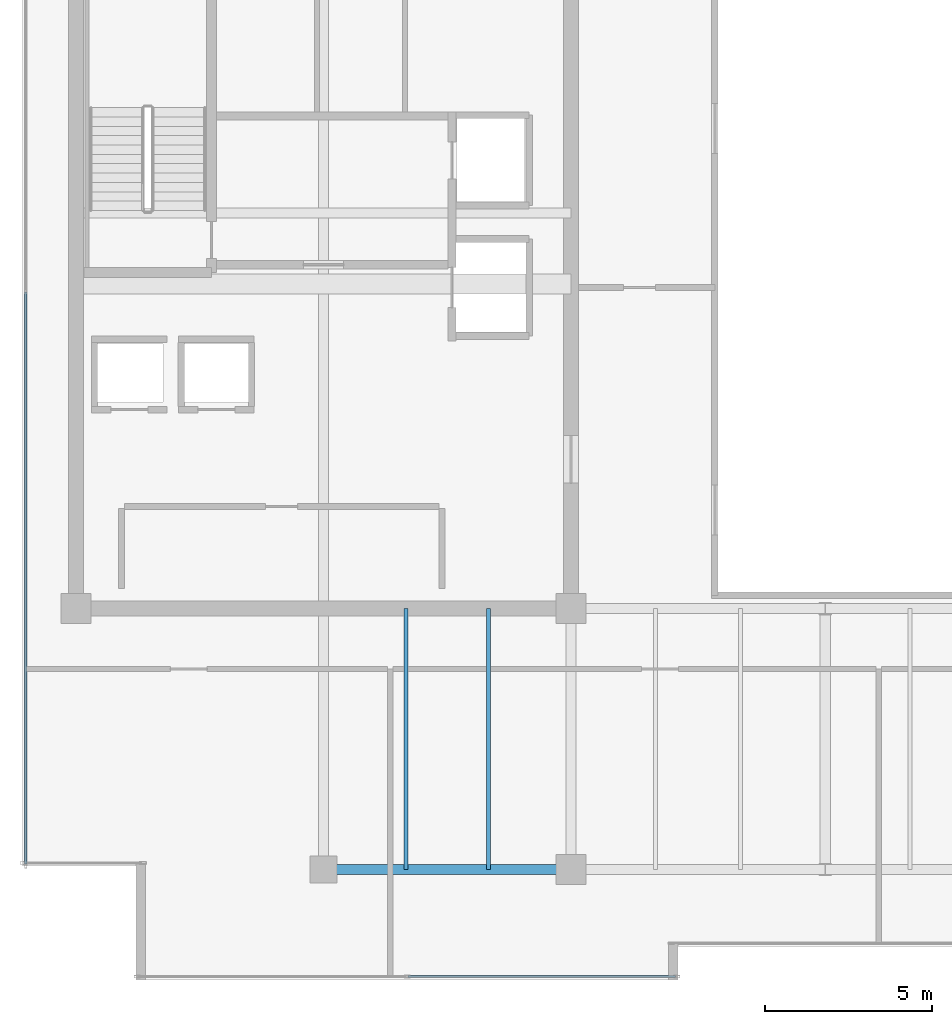
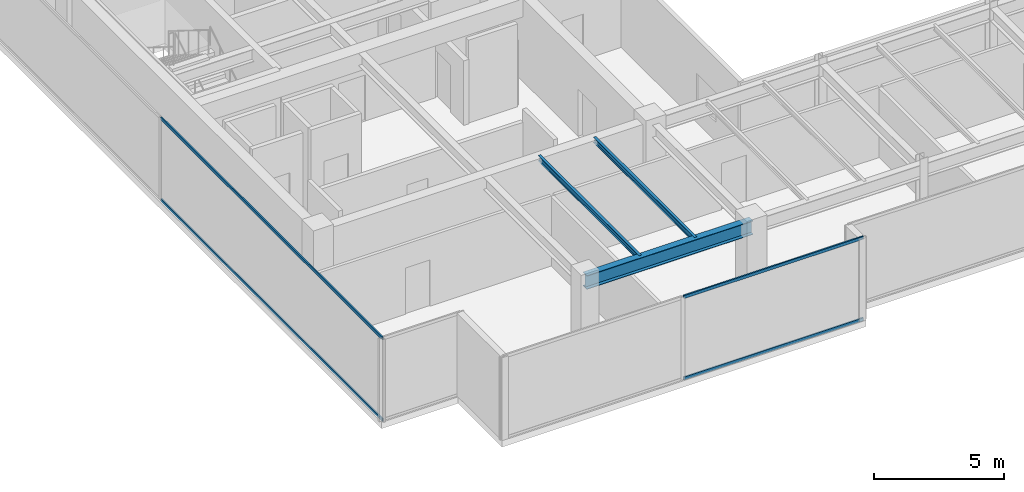
# One storey, part 6 of 31: 4 members, 3 beams, 2 elements without a shape of their own.
"""IFC4 building model written with IfcOpenShell, lengths in metres."""

from ifc_helpers import new_model, si_unit, direction, frame, origin, origin_2d, place, context, subcontext, project, spatial, hollow_rectangle, i_section, extrude, source, transform, mapped, material, layer, layer_set, material_profile, profile_set, type_object, type_shapes, element, aggregate, save


model = new_model("IFC4")

# Units and contexts
model_context = context("Model", 3, precision=1e-05, world=origin(), true_north=direction((0.0, 1.0)))
body_context = subcontext(model_context, "Body", "Model", "MODEL_VIEW")
ifc_project = project(units=[si_unit("LENGTHUNIT", "METRE"), si_unit("AREAUNIT", "SQUARE_METRE"), si_unit("VOLUMEUNIT", "CUBIC_METRE"), si_unit("PLANEANGLEUNIT", "RADIAN"), si_unit("MASSUNIT", "GRAM", prefix="KILO")], contexts=[model_context])

# Site, building, storey
site_placement = place(None, origin())
site = spatial("IfcSite", under=ifc_project, at=site_placement, CompositionType="ELEMENT")
building_placement = place(site_placement, origin())
building = spatial("IfcBuilding", under=site, at=building_placement, Name="Haelvirn Gate Laboratories", CompositionType="ELEMENT")
storey_placement = place(building_placement, frame((0.0, 0.0, 318.60009765625)))
storey = spatial("IfcBuildingStorey", under=building, at=storey_placement, Name="L76", CompositionType="ELEMENT", Elevation=318.60009765625)

# Beams
ifc_material_1 = material(Name="Steel SM355", Category="steel")
ifc_material_profile_1 = material_profile(ifc_material_1, i_section(OverallWidth=0.300048828125, OverallDepth=0.64990234375, WebThickness=0.012939453125, FlangeThickness=0.02197265625, at=origin_2d()), Name="H-650x300x13x22")
ifc_profile_set_1 = profile_set([ifc_material_profile_1], Name="Steel SM355")
beam_type_1 = type_object("IfcBeamType", Name="BM-G-650", PredefinedType="BEAM", material=ifc_profile_set_1)
shared_shape_1 = source(origin(), body_context, "Body", "SweptSolid", [
    extrude(i_section(OverallWidth=0.300048828125, OverallDepth=0.64990234375, WebThickness=0.012939453125, FlangeThickness=0.02197265625, at=origin_2d()), origin(), (0.0, 0.0, 1.0), 7.39990234375),
])
type_shapes(beam_type_1, [shared_shape_1])
beam_placement = place(storey_placement, frame((14.800048828125, 7.0, 3.574951171875), z_axis=(1.0, 0.0, 0.0), x_axis=(0.0, 1.0, 0.0)))
element("IfcBeam", 1, at=beam_placement, inside=storey, type_object=beam_type_1, Name="L76 Primary Girder Y7.0 (14.8-22.2)", PredefinedType="BEAM", context=body_context, shape_type="MappedRepresentation", body=[
    mapped(shared_shape_1, transform((0.0, 0.0, 0.0), scale=1.0)),
])
ifc_material_profile_2 = material_profile(ifc_material_1, i_section(OverallWidth=0.125, OverallDepth=0.25, WebThickness=0.006103515625, FlangeThickness=0.009033203125, at=origin_2d()), Name="H-250x125x6x9")
ifc_profile_set_2 = profile_set([ifc_material_profile_2], Name="Steel SM355")
beam_type_2 = type_object("IfcBeamType", Name="BM-J-250", PredefinedType="JOIST", material=ifc_profile_set_2)
shared_shape_2 = source(origin(), body_context, "Body", "SweptSolid", [
    extrude(i_section(OverallWidth=0.125, OverallDepth=0.25, WebThickness=0.006103515625, FlangeThickness=0.009033203125, at=origin_2d()), origin(), (0.0, 0.0, 1.0), 7.800048828125),
])
type_shapes(beam_type_2, [shared_shape_2])
for number, where, z_axis, x_axis, name in (
    (2, (17.27001953125, 7.0, 3.77490234375), (0.0, 1.0, 0.0), (-1.0, 0.0, 0.0), "L76 Composite Lab Joist South X17.27"),
    (3, (19.72998046875, 7.0, 3.77490234375), (0.0, 1.0, 0.0), (-1.0, 0.0, 0.0), "L76 Composite Lab Joist South X19.73"),
):
    element("IfcBeam", number, at=place(storey_placement, frame(where, z_axis=z_axis, x_axis=x_axis)), inside=storey, type_object=beam_type_2, Name=name, PredefinedType="JOIST", context=body_context, shape_type="MappedRepresentation", body=[
        mapped(shared_shape_2, transform((0.0, 0.0, 0.0), scale=1.0)),
    ])

# Curtain wall, members
ifc_material_2 = material(Name="Anodised bronze unitised aluminium & triple low-E glass", Category="aluminium")
ifc_layer = layer(ifc_material_2, 0.176025390625, Name="CW-SYS-4")
ifc_layer_set = layer_set([ifc_layer], Name="Anodised bronze unitised aluminium & triple low-E glass")
curtain_wall_type = type_object("IfcCurtainWallType", Name="CW-SYS-4", PredefinedType="NOTDEFINED", material=ifc_layer_set)
curtain_wall_1_placement = place(storey_placement, origin())
curtain_wall_1 = element("IfcCurtainWall", 4, at=curtain_wall_1_placement, inside=storey, type_object=curtain_wall_type, Name="L76 Unitised Curtain Wall CW-L76-P0-E17", PredefinedType="NOTDEFINED")
ifc_material_3 = material(Name="Extruded aluminium 6063-T6 (anodised bronze)", Category="aluminium")
ifc_material_profile_3 = material_profile(ifc_material_3, hollow_rectangle(XDim=0.06494140625, YDim=0.139892578125, WallThickness=0.00390625, at=origin_2d()), Name="CWT-140x65x4")
ifc_profile_set_3 = profile_set([ifc_material_profile_3], Name="Extruded aluminium 6063-T6 (anodised bronze)")
member_type = type_object("IfcMemberType", Name="CWT-T140", PredefinedType="USERDEFINED", material=ifc_profile_set_3)
shared_shape_3 = source(origin(), body_context, "Body", "SweptSolid", [
    extrude(hollow_rectangle(XDim=0.06494140625, YDim=0.139892578125, WallThickness=0.00390625, at=origin_2d()), origin(), (0.0, 0.0, 1.0), 17.094970703125),
])
member_1_placement = place(storey_placement, frame((5.89990234375, 24.264892578125, 0.032470703125), z_axis=(0.0, -1.0, 0.0), x_axis=(1.0, 0.0, 0.0)))
member_1 = element("IfcMember", 5, at=member_1_placement, type_object=member_type, Name="CW4 transom 2.1", ObjectType="TRANSOM", PredefinedType="USERDEFINED", context=body_context, shape_type="MappedRepresentation", body=[
    mapped(shared_shape_3, transform((0.0, 0.0, 0.0), scale=1.0)),
])
member_2_placement = place(storey_placement, frame((5.89990234375, 24.264892578125, 3.867431640625), z_axis=(0.0, -1.0, 0.0), x_axis=(1.0, 0.0, 0.0)))
member_2 = element("IfcMember", 6, at=member_2_placement, type_object=member_type, Name="CW4 transom 2.2", ObjectType="TRANSOM", PredefinedType="USERDEFINED", context=body_context, shape_type="MappedRepresentation", body=[
    mapped(shared_shape_3, transform((0.0, 0.0, 0.0), scale=1.0)),
])
aggregate(curtain_wall_1, [member_1, member_2])

curtain_wall_2_placement = place(storey_placement, origin())
curtain_wall_2 = element("IfcCurtainWall", 7, at=curtain_wall_2_placement, inside=storey, type_object=curtain_wall_type, Name="L76 Unitised Curtain Wall CW-L76-P0-E00-1", PredefinedType="NOTDEFINED")
shared_shape_4 = source(origin(), body_context, "Body", "SweptSolid", [
    extrude(hollow_rectangle(XDim=0.06494140625, YDim=0.139892578125, WallThickness=0.00390625, at=origin_2d()), origin(), (0.0, 0.0, 1.0), 7.9951171875),
])
type_shapes(member_type, [shared_shape_3, shared_shape_4])
member_3_placement = place(storey_placement, frame((17.3349609375, 3.800048828125, 0.032470703125), z_axis=(1.0, 0.0, 0.0), x_axis=(0.0, 1.0, 0.0)))
member_3 = element("IfcMember", 8, at=member_3_placement, type_object=member_type, Name="CW4 transom 2.1", ObjectType="TRANSOM", PredefinedType="USERDEFINED", context=body_context, shape_type="MappedRepresentation", body=[
    mapped(shared_shape_4, transform((0.0, 0.0, 0.0), scale=1.0)),
])
member_4_placement = place(storey_placement, frame((17.3349609375, 3.800048828125, 3.867431640625), z_axis=(1.0, 0.0, 0.0), x_axis=(0.0, 1.0, 0.0)))
member_4 = element("IfcMember", 9, at=member_4_placement, type_object=member_type, Name="CW4 transom 2.2", ObjectType="TRANSOM", PredefinedType="USERDEFINED", context=body_context, shape_type="MappedRepresentation", body=[
    mapped(shared_shape_4, transform((0.0, 0.0, 0.0), scale=1.0)),
])
aggregate(curtain_wall_2, [member_3, member_4])

save(model, "model.ifc")
